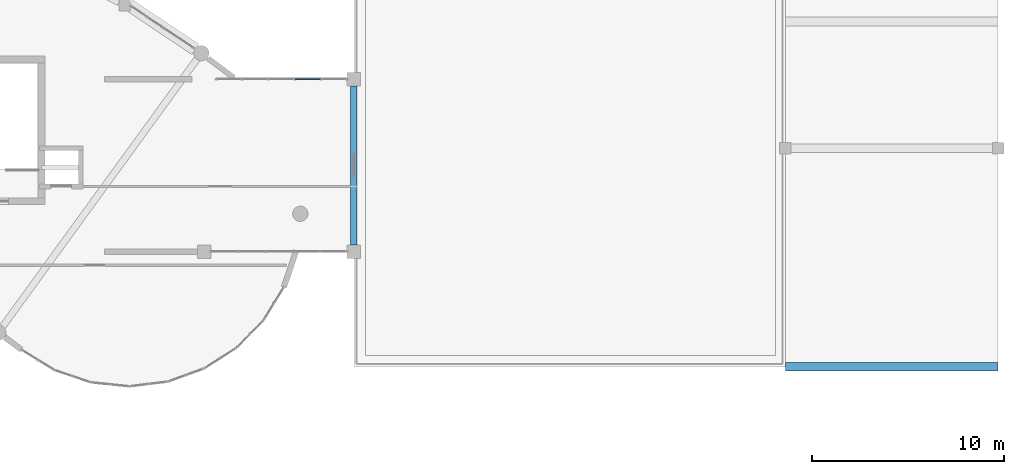
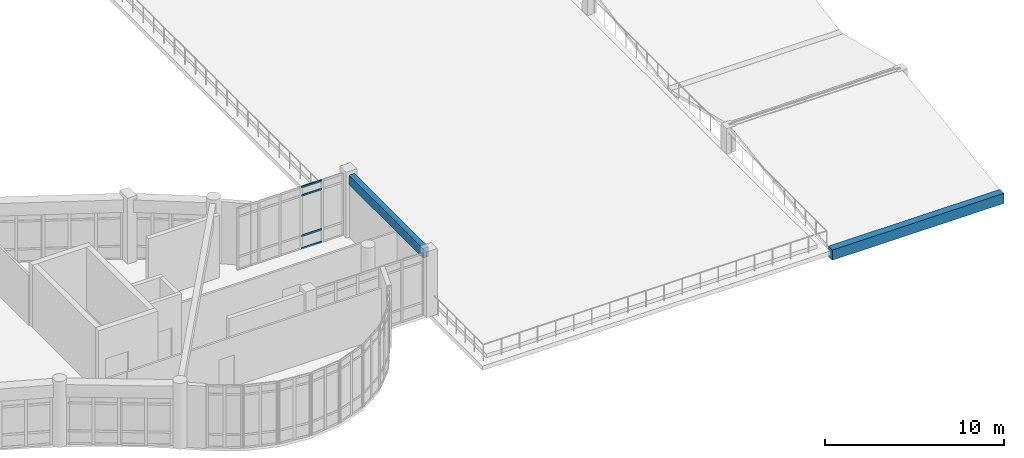
# One storey, part 25 of 54: 4 members, 2 beams, 1 element without a shape of its own.
"""IFC4 building model written with IfcOpenShell, lengths in metres."""

from ifc_helpers import new_model, si_unit, direction, frame, origin, origin_2d, place, context, subcontext, project, spatial, rectangle, extrude, material, layer, layer_set, material_profile, profile_set, type_object, element, aggregate, save


model = new_model("IFC4")

# Units and contexts
model_context = context("Model", 3, precision=1e-05, world=origin(), true_north=direction((0.0, 1.0)))
body_context = subcontext(model_context, "Body", "Model", "MODEL_VIEW")
ifc_project = project(units=[si_unit("LENGTHUNIT", "METRE"), si_unit("AREAUNIT", "SQUARE_METRE"), si_unit("VOLUMEUNIT", "CUBIC_METRE"), si_unit("PLANEANGLEUNIT", "RADIAN"), si_unit("MASSUNIT", "GRAM", prefix="KILO")], contexts=[model_context])

# Site, building, storey
site_placement = place(None, origin())
site = spatial("IfcSite", under=ifc_project, at=site_placement, CompositionType="ELEMENT")
building_placement = place(site_placement, origin())
building = spatial("IfcBuilding", under=site, at=building_placement, Name="Miralva Faculty of Natural Sciences", CompositionType="ELEMENT")
storey_placement = place(building_placement, frame((0.0, 0.0, 19.5)))
storey = spatial("IfcBuildingStorey", under=building, at=storey_placement, Name="L04", CompositionType="ELEMENT", Elevation=19.5)

# Beams
ifc_material_1 = material(Name="Concrete C40/50", Category="concrete")
ifc_material_profile_1 = material_profile(ifc_material_1, rectangle(XDim=0.35009765625, YDim=0.64990234375, at=origin_2d()), Name="RC 350x650")
ifc_profile_set_1 = profile_set([ifc_material_profile_1], Name="Concrete C40/50")
beam_type_1 = type_object("IfcBeamType", Name="BM-B05", PredefinedType="BEAM", material=ifc_profile_set_1)
beam_1_placement = place(storey_placement, frame((133.800048828125, 18.35009765625, 3.925048828125), z_axis=(0.0, 1.0, 0.0), x_axis=(-1.0, 0.0, 0.0)))
element("IfcBeam", 1, at=beam_1_placement, inside=storey, type_object=beam_type_1, Name="Girder NS L04-76", PredefinedType="BEAM", context=body_context, shape_type="SweptSolid", body=[
    extrude(rectangle(XDim=0.35009765625, YDim=0.64990234375, at=origin_2d()), origin(), (0.0, 0.0, 1.0), 8.2998046875),
])
ifc_material_profile_2 = material_profile(ifc_material_1, rectangle(XDim=0.449951171875, YDim=0.699951171875, at=origin_2d()), Name="RC 450x700")
ifc_profile_set_2 = profile_set([ifc_material_profile_2], Name="Concrete C40/50")
beam_type_2 = type_object("IfcBeamType", Name="BM-B06", PredefinedType="BEAM", material=ifc_profile_set_2)
beam_2_placement = place(storey_placement, frame((156.300048828125, 12.0, -0.14990234375), z_axis=(1.0, 0.0, 0.0), x_axis=(0.0, 1.0, 0.0)))
element("IfcBeam", 2, at=beam_2_placement, inside=storey, type_object=beam_type_2, Name="Folded roof valley beam 1", PredefinedType="BEAM", context=body_context, shape_type="SweptSolid", body=[
    extrude(rectangle(XDim=0.449951171875, YDim=0.699951171875, at=origin_2d()), origin(), (0.0, 0.0, 1.0), 11.099853515625),
])

# Curtain wall, members
ifc_material_2 = material(Name="Laminated solar-control glass", Category="glass")
ifc_layer = layer(ifc_material_2, 0.179931640625, Name="CW-COM-L01")
ifc_layer_set = layer_set([ifc_layer], Name="Laminated solar-control glass")
curtain_wall_type = type_object("IfcCurtainWallType", Name="CW-COM-L01", PredefinedType="USERDEFINED", material=ifc_layer_set)
curtain_wall_placement = place(storey_placement, origin())
curtain_wall = element("IfcCurtainWall", 3, at=curtain_wall_placement, inside=storey, type_object=curtain_wall_type, Name="Curtain wall CW-10 L04-311", ObjectType="UNITISED CURTAIN WALL", PredefinedType="USERDEFINED")
ifc_material_3 = material(Name="Anodised aluminium", Category="aluminium")
ifc_material_profile_3 = material_profile(ifc_material_3, rectangle(XDim=0.06005859375, YDim=0.1201171875, at=origin_2d()), Name="TRANSOM 60x120")
ifc_profile_set_3 = profile_set([ifc_material_profile_3], Name="Anodised aluminium")
member_type = type_object("IfcMemberType", Name="CW-T02", PredefinedType="USERDEFINED", material=ifc_profile_set_3)
member_1_placement = place(storey_placement, frame((130.757080078125, 27.0, 0.030029296875), z_axis=(1.0, 0.0, 0.0), x_axis=(0.0, 1.0, 0.0)))
member_1 = element("IfcMember", 4, at=member_1_placement, type_object=member_type, Name="CW-10 transom 4.1", ObjectType="TRANSOM", PredefinedType="USERDEFINED", context=body_context, shape_type="SweptSolid", body=[
    extrude(rectangle(XDim=0.06005859375, YDim=0.1201171875, at=origin_2d()), origin(), (0.0, 0.0, 1.0), 1.308837890625),
])
member_2_placement = place(storey_placement, frame((130.757080078125, 27.0, 0.89990234375), z_axis=(1.0, 0.0, 0.0), x_axis=(0.0, 1.0, 0.0)))
member_2 = element("IfcMember", 5, at=member_2_placement, type_object=member_type, Name="CW-10 transom 4.2", ObjectType="TRANSOM", PredefinedType="USERDEFINED", context=body_context, shape_type="SweptSolid", body=[
    extrude(rectangle(XDim=0.06005859375, YDim=0.1201171875, at=origin_2d()), origin(), (0.0, 0.0, 1.0), 1.308837890625),
])
member_3_placement = place(storey_placement, frame((130.757080078125, 27.0, 3.64990234375), z_axis=(1.0, 0.0, 0.0), x_axis=(0.0, 1.0, 0.0)))
member_3 = element("IfcMember", 6, at=member_3_placement, type_object=member_type, Name="CW-10 transom 4.3", ObjectType="TRANSOM", PredefinedType="USERDEFINED", context=body_context, shape_type="SweptSolid", body=[
    extrude(rectangle(XDim=0.06005859375, YDim=0.1201171875, at=origin_2d()), origin(), (0.0, 0.0, 1.0), 1.308837890625),
])
member_4_placement = place(storey_placement, frame((130.757080078125, 27.0, 4.219970703125), z_axis=(1.0, 0.0, 0.0), x_axis=(0.0, 1.0, 0.0)))
member_4 = element("IfcMember", 7, at=member_4_placement, type_object=member_type, Name="CW-10 transom 4.4", ObjectType="TRANSOM", PredefinedType="USERDEFINED", context=body_context, shape_type="SweptSolid", body=[
    extrude(rectangle(XDim=0.06005859375, YDim=0.1201171875, at=origin_2d()), origin(), (0.0, 0.0, 1.0), 1.308837890625),
])
aggregate(curtain_wall, [member_1, member_2, member_3, member_4])

save(model, "model.ifc")
